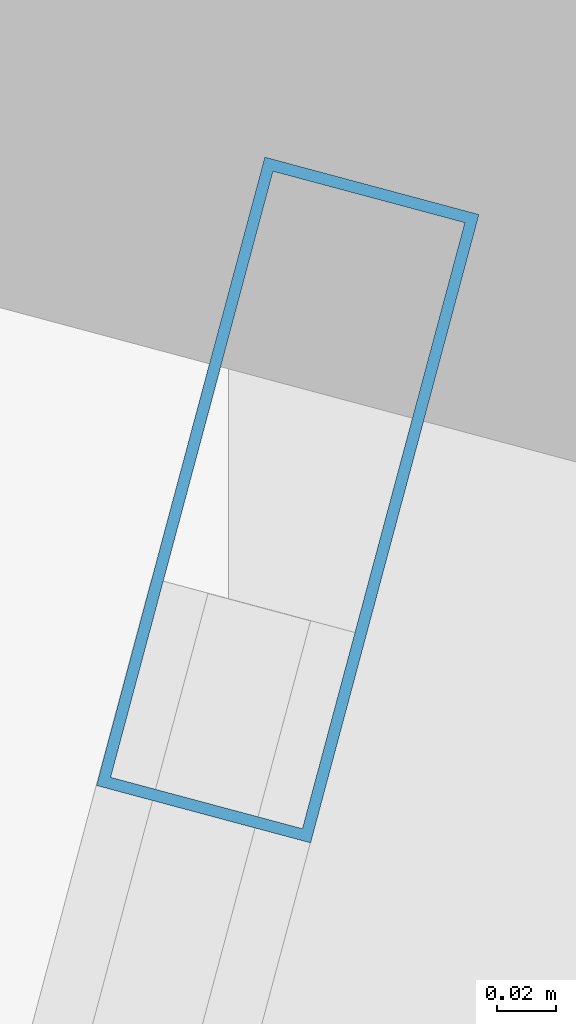
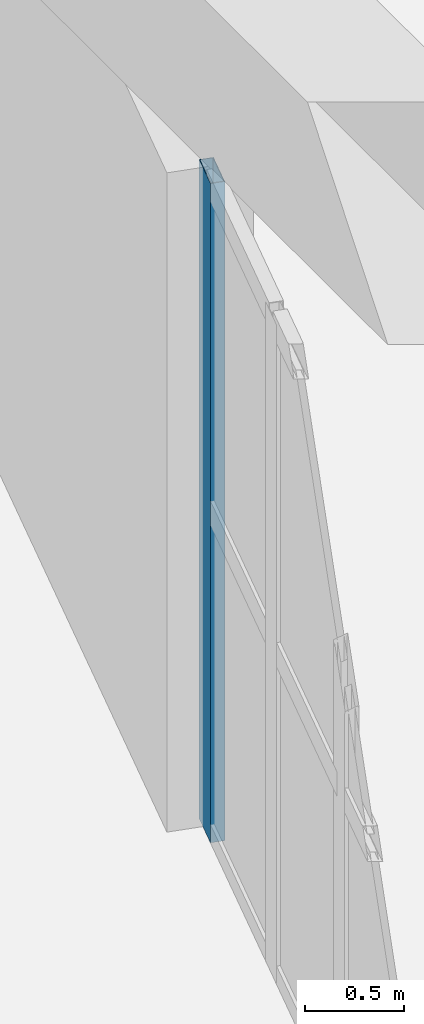
# One storey, part 10 of 34: 1 member, 1 element without a shape of its own.
"""IFC4 building model written with IfcOpenShell, lengths in metres."""

from ifc_helpers import new_model, si_unit, direction, frame, origin, origin_2d, place, context, subcontext, project, spatial, hollow_rectangle, extrude, material, layer, layer_set, material_profile, profile_set, type_object, element, aggregate, save


model = new_model("IFC4")

# Units and contexts
model_context = context("Model", 3, precision=1e-05, world=origin(), true_north=direction((0.0, 1.0)))
body_context = subcontext(model_context, "Body", "Model", "MODEL_VIEW")
ifc_project = project(units=[si_unit("LENGTHUNIT", "METRE"), si_unit("AREAUNIT", "SQUARE_METRE"), si_unit("VOLUMEUNIT", "CUBIC_METRE"), si_unit("PLANEANGLEUNIT", "RADIAN"), si_unit("MASSUNIT", "GRAM", prefix="KILO")], contexts=[model_context])

# Site, building, storey
site_placement = place(None, origin())
site = spatial("IfcSite", under=ifc_project, at=site_placement, CompositionType="ELEMENT")
building_placement = place(site_placement, origin())
building = spatial("IfcBuilding", under=site, at=building_placement, Name="Kilnhurst Terrace Hotel", CompositionType="ELEMENT")
storey_placement = place(building_placement, frame((0.0, 0.0, 6.0)))
storey = spatial("IfcBuildingStorey", under=building, at=storey_placement, Name="L01", CompositionType="ELEMENT", Elevation=6.0)

# Curtain wall, member
ifc_material_1 = material(Name="Anodized Aluminium Alloy 6063-T6 and Low-E Glass", Category="aluminium")
ifc_layer = layer(ifc_material_1, 0.219970703125, Name="Anodized Aluminium Alloy 6063-T6 and Low-E Glass")
ifc_layer_set = layer_set([ifc_layer], Name="Anodized Aluminium Alloy 6063-T6 and Low-E Glass")
curtain_wall_type = type_object("IfcCurtainWallType", Name="CW-POD-LOBBY", PredefinedType="NOTDEFINED", material=ifc_layer_set)
curtain_wall_placement = place(storey_placement, origin())
curtain_wall = element("IfcCurtainWall", 1, at=curtain_wall_placement, inside=storey, type_object=curtain_wall_type, Name="L01 Curtain Wall CW-L01-F2-1", PredefinedType="NOTDEFINED")
ifc_material_2 = material(Name="Extruded Aluminium Alloy 6063-T6", Category="aluminium")
ifc_material_profile = material_profile(ifc_material_2, hollow_rectangle(XDim=0.074951171875, YDim=0.219970703125, WallThickness=0.00390625, at=origin_2d()), Name="CWM75X220")
ifc_profile_set = profile_set([ifc_material_profile], Name="Extruded Aluminium Alloy 6063-T6")
member_type = type_object("IfcMemberType", Name="MEM-CWM75X220", PredefinedType="MULLION", material=ifc_profile_set)
member_placement = place(storey_placement, frame((27.2451171875, -15.227294921875, 0.0), z_axis=(0.0, 0.0, 1.0), x_axis=(-0.965929411181, 0.258805665733, 0.0)))
member = element("IfcMember", 2, at=member_placement, type_object=member_type, Name="CWL-1 mullion 5", PredefinedType="MULLION", context=body_context, shape_type="SweptSolid", body=[
    extrude(hollow_rectangle(XDim=0.074951171875, YDim=0.219970703125, WallThickness=0.00390625, at=origin_2d()), origin(), (0.0, 0.0, 1.0), 4.050048828125),
])
aggregate(curtain_wall, [member])

save(model, "model.ifc")
